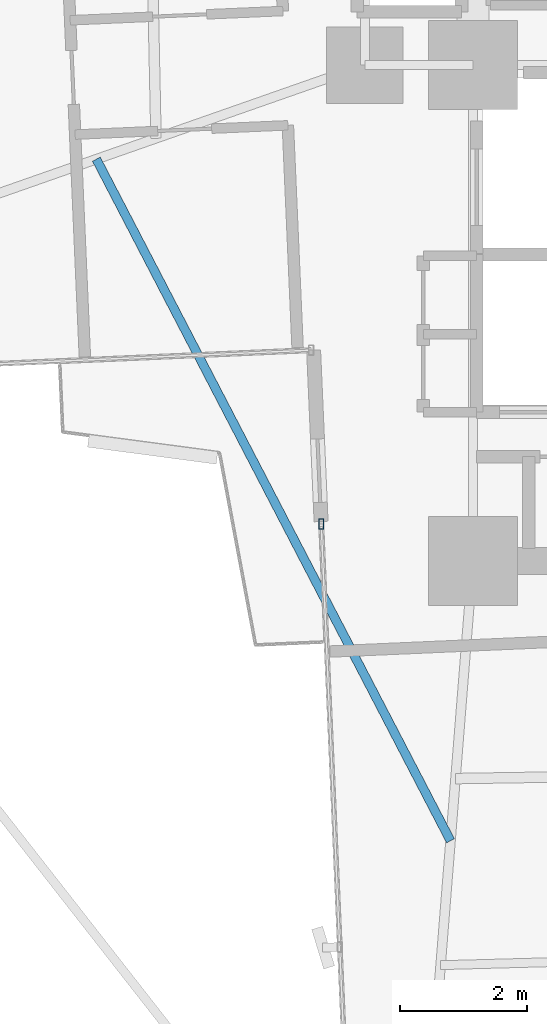
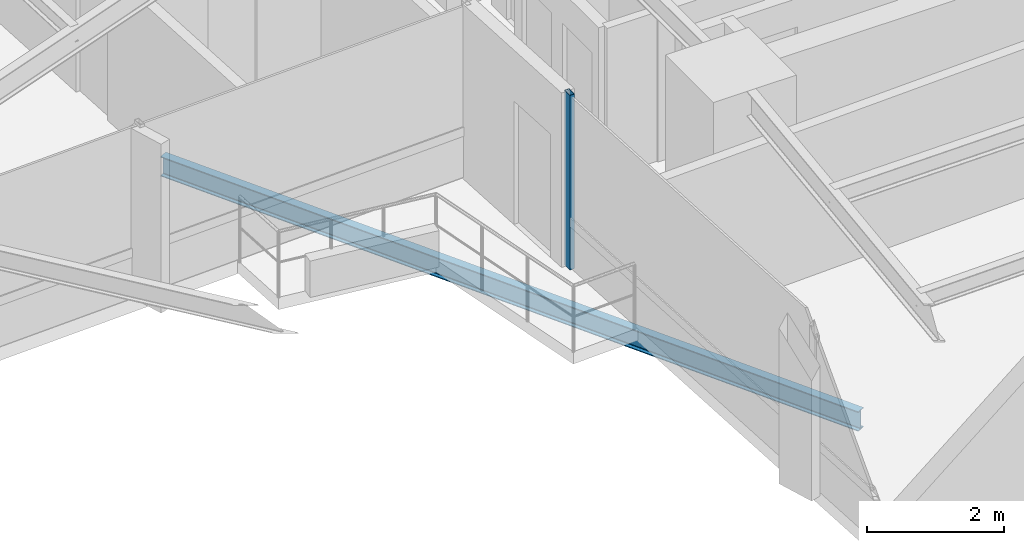
# One storey, part 5 of 26: 1 beam, 1 member, 1 element without a shape of its own.
"""IFC4 building model written with IfcOpenShell, lengths in metres."""

import ifcopenshell
import ifcopenshell.guid

model = None  # the IFC model being written
_history = None  # IfcOwnerHistory: only IFC2X3 demands one
_inside = {}  # id of a spatial element -> (the spatial element, [elements in it])
_under = {}  # id of a project, library or spatial element -> (it, [spatial elements below it])
_declared = {}  # id of a project -> (the project, [libraries it declares])
_typed = {}  # id of a type object -> (the type object, [elements of that type])
_made_of = {}  # id of a material, layer set ... -> (it, [elements and type objects made of it])


def new_model(schema):
    """Start an empty IFC model of exactly this schema.

    Asked for "IFC4X3", IfcOpenShell would pick the latest addendum, in which some entities
    have other attributes; the version numbers below select the first issue.
    IFC2X3 requires an IfcOwnerHistory on every rooted entity: one is made here for all.
    """
    global model, _history
    if schema == "IFC4X3":
        model = ifcopenshell.file(schema_version=(4, 3, 0, 0))
    else:
        model = ifcopenshell.file(schema=schema)
    _inside.clear()
    _under.clear()
    _declared.clear()
    _typed.clear()
    _made_of.clear()
    _history = None
    if model.schema == "IFC2X3":
        org = make("IfcOrganization", Name="unknown")
        user = make(
            "IfcPersonAndOrganization",
            ThePerson=make("IfcPerson", FamilyName="unknown"),
            TheOrganization=org,
        )
        app = make(
            "IfcApplication",
            ApplicationDeveloper=org,
            Version="unknown",
            ApplicationFullName="unknown",
            ApplicationIdentifier="unknown",
        )
        _history = make(
            "IfcOwnerHistory",
            OwningUser=user,
            OwningApplication=app,
            ChangeAction="ADDED",
            CreationDate=0,
        )
    return model


def make(cls, **values):
    """One entity of the class cls with the attributes given. An attribute that is None is left unset."""
    return model.create_entity(
        cls, **{name: value for name, value in values.items() if value is not None}
    )


def rooted(cls, **values):
    """An entity with a GlobalId (a new one), such as an element, a storey or a relation."""
    return make(cls, GlobalId=ifcopenshell.guid.new(), OwnerHistory=_history, **values)


def si_unit(unit_type, name, prefix=None):
    """IfcSIUnit, for example si_unit("LENGTHUNIT", "METRE", prefix="MILLI")."""
    return make("IfcSIUnit", UnitType=unit_type, Prefix=prefix, Name=name)


def assignment(units):
    """IfcUnitAssignment: the units of a project."""
    return None if units is None else make("IfcUnitAssignment", Units=units)


def point(xyz):
    """IfcCartesianPoint."""
    return None if xyz is None else make("IfcCartesianPoint", Coordinates=xyz)


def direction(xyz):
    """IfcDirection."""
    return None if xyz is None else make("IfcDirection", DirectionRatios=xyz)


def frame(location, z_axis=None, x_axis=None):
    """IfcAxis2Placement3D, a coordinate frame: its origin and axes. An axis left out is left unset."""
    return make(
        "IfcAxis2Placement3D",
        Location=point(location),
        Axis=direction(z_axis),
        RefDirection=direction(x_axis),
    )


def frame_2d(location, x_axis=None):
    """IfcAxis2Placement2D, a coordinate frame in the plane: its origin and x axis."""
    return make(
        "IfcAxis2Placement2D", Location=point(location), RefDirection=direction(x_axis)
    )


def origin():
    """The frame at (0, 0, 0) with its axes left unset."""
    return frame((0.0, 0.0, 0.0))


def origin_2d():
    """The frame at (0, 0) in the plane with its x axis left unset."""
    return frame_2d((0.0, 0.0))


def place(relative_to, where):
    """IfcLocalPlacement: puts the frame where relative to a parent placement (None: the world)."""
    return make(
        "IfcLocalPlacement", PlacementRelTo=relative_to, RelativePlacement=where
    )


def context(
    kind, dimensions, precision=None, world=None, true_north=None, identifier=None
):
    """IfcGeometricRepresentationContext, for example the 3D "Model" context."""
    return make(
        "IfcGeometricRepresentationContext",
        ContextIdentifier=identifier,
        ContextType=kind,
        CoordinateSpaceDimension=dimensions,
        Precision=precision,
        WorldCoordinateSystem=world,
        TrueNorth=true_north,
    )


def subcontext(parent, identifier, kind, view, scale=None):
    """IfcGeometricRepresentationSubContext, for example "Body" below "Model"."""
    return make(
        "IfcGeometricRepresentationSubContext",
        ContextIdentifier=identifier,
        ContextType=kind,
        ParentContext=parent,
        TargetScale=scale,
        TargetView=view,
    )


def project(units=None, contexts=None):
    """IfcProject with its units and contexts."""
    return rooted(
        "IfcProject",
        Name="project",
        RepresentationContexts=contexts,
        UnitsInContext=assignment(units),
    )


def spatial(cls, under=None, at=None, **own):
    """A site, building, storey or space (cls), placed at a placement, below another one or the project."""
    s = rooted(cls, ObjectPlacement=at, **own)
    if under is not None:
        _under.setdefault(under.id(), (under, []))[1].append(s)
    return s


def profile(cls, at=None, kind="AREA", **sizes):
    """A parametric profile (cls). Its sizes go by their IFC names, for example OverallWidth=200.0."""
    return make(cls, ProfileType=kind, Position=at, **sizes)


def hollow_rectangle(**sizes):
    """IfcRectangleHollowProfileDef."""
    return profile("IfcRectangleHollowProfileDef", **sizes)


def i_section(**sizes):
    """IfcIShapeProfileDef."""
    return profile("IfcIShapeProfileDef", **sizes)


def extrude(swept, where, along, depth):
    """IfcExtrudedAreaSolid: the profile swept, set in the frame where, extruded along a direction by depth."""
    return make(
        "IfcExtrudedAreaSolid",
        SweptArea=swept,
        Position=where,
        ExtrudedDirection=direction(along),
        Depth=depth,
    )


def shape(context_of_items, identifier, shape_type, items):
    """IfcShapeRepresentation: the items that make up one representation, for example the "Body"."""
    return make(
        "IfcShapeRepresentation",
        ContextOfItems=context_of_items,
        RepresentationIdentifier=identifier,
        RepresentationType=shape_type,
        Items=items,
    )


def source(mapping_origin, context_of_items, identifier, shape_type, items):
    """IfcRepresentationMap: a shape defined once, which mapped items show again and again."""
    return make(
        "IfcRepresentationMap",
        MappingOrigin=mapping_origin,
        MappedRepresentation=shape(context_of_items, identifier, shape_type, items),
    )


def transform(
    local_origin,
    x_axis=None,
    y_axis=None,
    z_axis=None,
    scale=None,
    scale2=None,
    scale3=None,
    uniform=True,
):
    """IfcCartesianTransformationOperator3D, or its non-uniform kind. x_axis, y_axis, z_axis: its Axis1, 2, 3."""
    if uniform:
        return make(
            "IfcCartesianTransformationOperator3D",
            Axis1=direction(x_axis),
            Axis2=direction(y_axis),
            LocalOrigin=point(local_origin),
            Scale=scale,
            Axis3=direction(z_axis),
        )
    return make(
        "IfcCartesianTransformationOperator3DnonUniform",
        Axis1=direction(x_axis),
        Axis2=direction(y_axis),
        LocalOrigin=point(local_origin),
        Scale=scale,
        Axis3=direction(z_axis),
        Scale2=scale2,
        Scale3=scale3,
    )


def mapped(mapping_source, mapping_target):
    """IfcMappedItem: shows the shape of a source again, moved by a transform."""
    return make(
        "IfcMappedItem", MappingSource=mapping_source, MappingTarget=mapping_target
    )


def material(Name=None, Category=None):
    """IfcMaterial."""
    return make("IfcMaterial", Name=Name, Category=Category)


def material_profile(
    of_material, cross_section, Name=None, Category=None, Priority=None
):
    """IfcMaterialProfile: a cross section and its material."""
    return make(
        "IfcMaterialProfile",
        Name=Name,
        Material=of_material,
        Profile=cross_section,
        Priority=Priority,
        Category=Category,
    )


def profile_set(profiles, Name=None, composite=None):
    """IfcMaterialProfileSet."""
    return make(
        "IfcMaterialProfileSet",
        Name=Name,
        MaterialProfiles=profiles,
        CompositeProfile=composite,
    )


def made_of(thing, what):
    """Note that an element or type object is made of a material, layer set ...; save() writes the relation."""
    if what is not None:
        _made_of.setdefault(what.id(), (what, []))[1].append(thing)
    return thing


def type_object(cls, material=None, **own):
    """A type object (cls), such as IfcWallType, which elements share."""
    return made_of(rooted(cls, **own), material)


def element(
    cls,
    number,
    at=None,
    inside=None,
    cuts=None,
    type_object=None,
    material=None,
    context=None,
    identifier="Body",
    shape_type=None,
    held_by="IfcProductDefinitionShape",
    body=None,
    shapes=None,
    **own,
):
    """One element of the class cls, such as IfcWall. Its Tag is "e" and its number.

    at: its placement. inside: the storey or other place that contains it. cuts: it is an
    opening in that element (IfcRelVoidsElement). A single representation is given by context,
    identifier, shape_type and body (its items); several are given by shapes. held_by: the class
    of the entity that holds the representations. save() writes the other relations.
    """
    e = rooted(cls, Tag="e%d" % number, ObjectPlacement=at, **own)
    if body is not None:
        shapes = [shape(context, identifier, shape_type, body)]
    if shapes is not None:
        e.Representation = make(held_by, Representations=shapes)
    if inside is not None:
        _inside.setdefault(inside.id(), (inside, []))[1].append(e)
    if cuts is not None:
        rooted(
            "IfcRelVoidsElement", RelatingBuildingElement=cuts, RelatedOpeningElement=e
        )
    if type_object is not None:
        _typed.setdefault(type_object.id(), (type_object, []))[1].append(e)
    return made_of(e, material)


def aggregate(whole, parts):
    """IfcRelAggregates: a whole, such as a stair, and the parts it consists of."""
    return rooted("IfcRelAggregates", RelatingObject=whole, RelatedObjects=parts)


def save(model, path):
    """Write the relations noted so far, then the file.

    IfcRelAggregates (storeys below a building ...), IfcRelContainedInSpatialStructure (elements
    in a storey), IfcRelDefinesByType, IfcRelAssociatesMaterial and IfcRelDeclares: one each for
    every whole, place, type object, material and project.
    """
    for whole, parts in _under.values():
        aggregate(whole, parts)
    for where, things in _inside.values():
        rooted(
            "IfcRelContainedInSpatialStructure",
            RelatedElements=things,
            RelatingStructure=where,
        )
    for kind, things in _typed.values():
        rooted("IfcRelDefinesByType", RelatedObjects=things, RelatingType=kind)
    for what, things in _made_of.values():
        rooted("IfcRelAssociatesMaterial", RelatedObjects=things, RelatingMaterial=what)
    for by, libraries in _declared.values():
        rooted("IfcRelDeclares", RelatingContext=by, RelatedDefinitions=libraries)
    model.write(path)


model = new_model("IFC4")

# Units and contexts
model_context = context("Model", 3, precision=1e-05, world=origin(), true_north=direction((0.0, 1.0)))
body_context = subcontext(model_context, "Body", "Model", "MODEL_VIEW")
ifc_project = project(units=[si_unit("LENGTHUNIT", "METRE"), si_unit("AREAUNIT", "SQUARE_METRE"), si_unit("VOLUMEUNIT", "CUBIC_METRE"), si_unit("PLANEANGLEUNIT", "RADIAN"), si_unit("MASSUNIT", "GRAM", prefix="KILO")], contexts=[model_context])

# Site, building, storey
site_placement = place(None, origin())
site = spatial("IfcSite", under=ifc_project, at=site_placement, CompositionType="ELEMENT")
building_placement = place(site_placement, origin())
building = spatial("IfcBuilding", under=site, at=building_placement, Name="Sahyath Konkavel Grand Hotel", CompositionType="ELEMENT")
storey_placement = place(building_placement, frame((0.0, 0.0, 121.5)))
storey = spatial("IfcBuildingStorey", under=building, at=storey_placement, Name="L33", CompositionType="ELEMENT", Elevation=121.5)

# Curtain wall, member
ifc_material_1 = material(Name="Anodised Bronze Aluminium & Low-E Glazing", Category="aluminium")
curtain_wall_type = type_object("IfcCurtainWallType", Name="CW-ZONE2", PredefinedType="NOTDEFINED", material=ifc_material_1)
curtain_wall_placement = place(storey_placement, origin())
curtain_wall = element("IfcCurtainWall", 1, at=curtain_wall_placement, inside=storey, type_object=curtain_wall_type, Name="L33 Unitised Curtain Wall F24", PredefinedType="NOTDEFINED")
ifc_material_2 = material(Name="Anodised Bronze Aluminium", Category="aluminium")
ifc_material_profile_1 = material_profile(ifc_material_2, hollow_rectangle(XDim=0.080078125, YDim=0.159912109375, WallThickness=0.006103515625, at=origin_2d()), Name="RHS 160x80x6")
ifc_profile_set_1 = profile_set([ifc_material_profile_1], Name="Anodised Bronze Aluminium")
member_type = type_object("IfcMemberType", Name="CW-MUL-160", PredefinedType="MULLION", material=ifc_profile_set_1)
shared_shape_1 = source(origin(), body_context, "Body", "SweptSolid", [
    extrude(hollow_rectangle(XDim=0.080078125, YDim=0.159912109375, WallThickness=0.006103515625, at=origin_2d()), origin(), (0.0, 0.0, 1.0), 3.110107421875),
])
member_placement = place(storey_placement, frame((-6.186279296875, -9.618896484375, 0.0), z_axis=(0.0, 0.0, 1.0), x_axis=(1.0, 0.0, 0.0)))
member = element("IfcMember", 2, at=member_placement, type_object=member_type, Name="L33 Curtain Wall Mullion F24-0", PredefinedType="MULLION", context=body_context, shape_type="MappedRepresentation", body=[
    mapped(shared_shape_1, transform((0.0, 0.0, 0.0), scale=1.0)),
])
aggregate(curtain_wall, [member])

# Beam
ifc_material_3 = material(Name="Steel E350", Category="steel")
ifc_material_profile_2 = material_profile(ifc_material_3, i_section(OverallWidth=0.139892578125, OverallDepth=0.35009765625, WebThickness=0.008056640625, FlangeThickness=0.01416015625, FilletRadius=0.013916015625, at=origin_2d()), Name="ISMB 350")
ifc_profile_set_2 = profile_set([ifc_material_profile_2], Name="Steel E350")
beam_type = type_object("IfcBeamType", Name="BM-BALC-CANT", PredefinedType="BEAM", material=ifc_profile_set_2)
shared_shape_2 = source(origin(), body_context, "Body", "SweptSolid", [
    extrude(i_section(OverallWidth=0.139892578125, OverallDepth=0.35009765625, WebThickness=0.008056640625, FlangeThickness=0.01416015625, FilletRadius=0.013916015625, at=origin_2d()), origin(), (0.0, 0.0, 1.0), 12.085205078125),
])
beam_placement = place(storey_placement, frame((-9.7236328125, -3.87890625, -0.4150390625), z_axis=(0.461082384626, -0.887357331962, 0.0), x_axis=(0.887357331962, 0.461082384626, 0.0)))
element("IfcBeam", 3, at=beam_placement, inside=storey, type_object=beam_type, Name="L33 Balcony Cantilever Support Beam SW", PredefinedType="BEAM", context=body_context, shape_type="MappedRepresentation", body=[
    mapped(shared_shape_2, transform((0.0, 0.0, 0.0), scale=1.0)),
])

save(model, "model.ifc")
